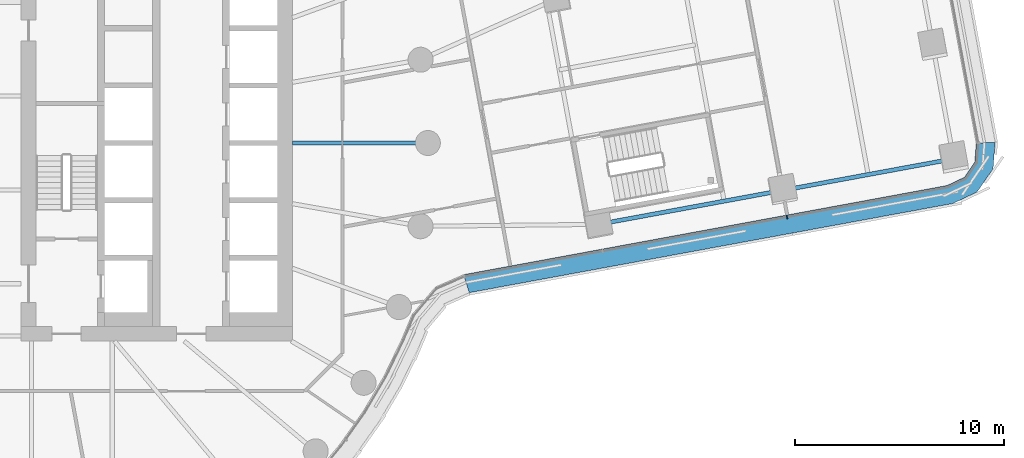
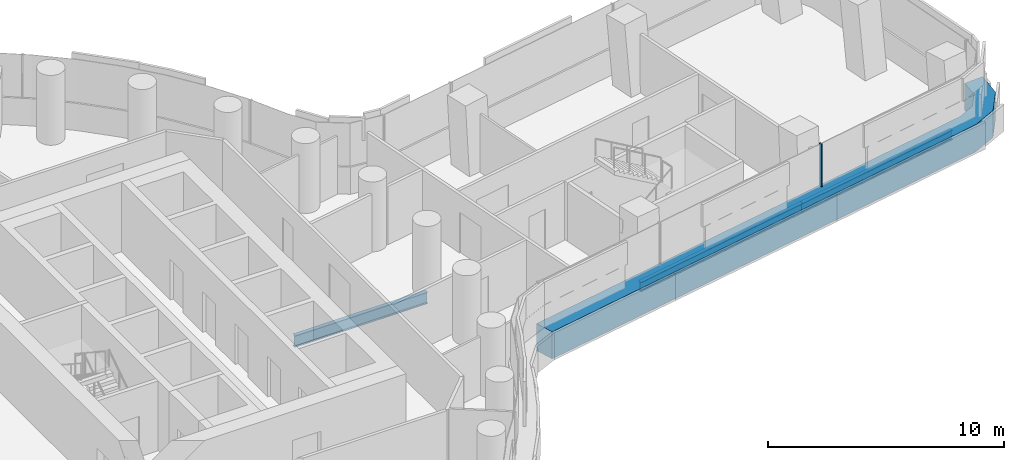
# One storey, part 12 of 33: 3 beams, 2 members, 1 element without a shape of its own.
"""IFC4 building model written with IfcOpenShell, lengths in metres."""

from ifc_helpers import new_model, si_unit, direction, frame, origin, origin_2d, place, context, subcontext, project, spatial, polyline, rectangle, i_section, outline, extrude, material, layer, layer_set, material_profile, profile_set, type_object, element, aggregate, save


model = new_model("IFC4")

# Units and contexts
model_context = context("Model", 3, precision=1e-05, world=origin(), true_north=direction((0.0, 1.0)))
body_context = subcontext(model_context, "Body", "Model", "MODEL_VIEW")
ifc_project = project(units=[si_unit("LENGTHUNIT", "METRE"), si_unit("AREAUNIT", "SQUARE_METRE"), si_unit("VOLUMEUNIT", "CUBIC_METRE"), si_unit("PLANEANGLEUNIT", "RADIAN"), si_unit("MASSUNIT", "GRAM", prefix="KILO")], contexts=[model_context])

# Site, building, storey
site_placement = place(None, origin())
site = spatial("IfcSite", under=ifc_project, at=site_placement, CompositionType="ELEMENT")
building_placement = place(site_placement, origin())
building = spatial("IfcBuilding", under=site, at=building_placement, Name="Tamarind Cross Interchange Tower", CompositionType="ELEMENT")
storey_placement = place(building_placement, frame((0.0, 0.0, 71.5)))
storey = spatial("IfcBuildingStorey", under=building, at=storey_placement, Name="L16", CompositionType="ELEMENT", Elevation=71.5)

# Beams
ifc_material_1 = material(Name="Steel Q355B", Category="steel")
ifc_material_profile_1 = material_profile(ifc_material_1, i_section(OverallWidth=0.198974609375, OverallDepth=0.49609375, WebThickness=0.009033203125, FlangeThickness=0.013916015625, FilletRadius=0.012939453125, at=origin_2d()), Name="HN 496x199x9x14")
ifc_profile_set_1 = profile_set([ifc_material_profile_1], Name="Steel Q355B")
beam_type_1 = type_object("IfcBeamType", Name="Composite beam HN 496x199x9x14 Q355B", PredefinedType="BEAM", material=ifc_profile_set_1)
beam_1_placement = place(storey_placement, frame((48.21435546875, -0.7587890625, -0.387939453125), z_axis=(-0.983422026354, -0.181331514308, 0.0), x_axis=(0.181331514308, -0.983422026354, 0.0)))
element("IfcBeam", 1, at=beam_1_placement, inside=storey, type_object=beam_type_1, Name="Beam E-edgeem5", PredefinedType="BEAM", context=body_context, shape_type="SweptSolid", body=[
    extrude(i_section(OverallWidth=0.198974609375, OverallDepth=0.49609375, WebThickness=0.009033203125, FlangeThickness=0.013916015625, FilletRadius=0.012939453125, at=origin_2d()), origin(), (0.0, 0.0, 1.0), 8.342041015625),
])
beam_2_placement = place(storey_placement, frame((40.010498046875, -2.271484375, -0.387939453125), z_axis=(-0.983420231604, -0.181341247573, 0.0), x_axis=(0.181341247573, -0.983420231604, 0.0)))
element("IfcBeam", 2, at=beam_2_placement, inside=storey, type_object=beam_type_1, Name="Beam E-edgeem6", PredefinedType="BEAM", context=body_context, shape_type="SweptSolid", body=[
    extrude(i_section(OverallWidth=0.198974609375, OverallDepth=0.49609375, WebThickness=0.009033203125, FlangeThickness=0.013916015625, FilletRadius=0.012939453125, at=origin_2d()), origin(), (0.0, 0.0, 1.0), 9.0),
])
ifc_material_profile_2 = material_profile(ifc_material_1, i_section(OverallWidth=0.198974609375, OverallDepth=0.595947265625, WebThickness=0.010009765625, FlangeThickness=0.014892578125, FilletRadius=0.012939453125, at=origin_2d()), Name="HN 596x199x10x15")
ifc_profile_set_2 = profile_set([ifc_material_profile_2], Name="Steel Q355B")
beam_type_2 = type_object("IfcBeamType", Name="Composite beam HN 596x199x10x15 Q355B", PredefinedType="BEAM", material=ifc_profile_set_2)
beam_3_placement = place(storey_placement, frame((23.0, 0.0, -0.43798828125), z_axis=(-1.0, 0.0, 0.0), x_axis=(0.0, -1.0, 0.0)))
element("IfcBeam", 3, at=beam_3_placement, inside=storey, type_object=beam_type_2, Name="Beam HH00", PredefinedType="BEAM", context=body_context, shape_type="SweptSolid", body=[
    extrude(i_section(OverallWidth=0.198974609375, OverallDepth=0.595947265625, WebThickness=0.010009765625, FlangeThickness=0.014892578125, FilletRadius=0.012939453125, at=origin_2d()), origin(), (0.0, 0.0, 1.0), 6.5),
])

# Curtain wall, members
ifc_material_2 = material(Name="Aluminium 6063-T6", Category="aluminium")
ifc_layer = layer(ifc_material_2, 0.159912109375)
ifc_layer_set = layer_set([ifc_layer], Name="Aluminium 6063-T6")
curtain_wall_type = type_object("IfcCurtainWallType", Name="Office curtain wall, 9.0 m bays", PredefinedType="NOTDEFINED", material=ifc_layer_set)
curtain_wall_placement = place(storey_placement, origin())
curtain_wall = element("IfcCurtainWall", 4, at=curtain_wall_placement, inside=storey, type_object=curtain_wall_type, Name="CWS-L16-07", PredefinedType="NOTDEFINED")
ifc_material_3 = material(Name="Aluminium and insulated spandrel panel", Category="aluminium")
member_type_1 = type_object("IfcMemberType", Name="Floor-edge blade transom", PredefinedType="USERDEFINED", material=ifc_material_3)
member_1_placement = place(storey_placement, origin())
member_1 = element("IfcMember", 5, at=member_1_placement, type_object=member_type_1, Name="CWT-L16-07", ObjectType="TRANSOM", PredefinedType="USERDEFINED", context=body_context, shape_type="SweptSolid", body=[
    extrude(outline(polyline([(24.71728515625, -6.311767578125), (47.9013671875, -2.03662109375), (48.72802734375, -1.643310546875), (49.223876953125, -0.923095703125), (49.296630859375, -0.0107421875), (50.203125, 0.0361328125), (50.10205078125, -1.23486328125), (49.33251953125, -2.3525390625), (48.18115234375, -2.900390625), (24.983154296875, -7.177978515625), (24.71728515625, -6.311767578125)])), origin(), (0.0, 0.0, 1.0), 1.39990234375),
])
ifc_material_profile_3 = material_profile(ifc_material_2, rectangle(XDim=0.06005859375, YDim=0.159912109375, at=origin_2d()), Name="Mullion CW1")
ifc_profile_set_3 = profile_set([ifc_material_profile_3], Name="Aluminium 6063-T6")
member_type_2 = type_object("IfcMemberType", Name="Mullion CW1", PredefinedType="MULLION", material=ifc_profile_set_3)
member_2_placement = place(storey_placement, frame((40.221435546875, -3.5546875, 1.39990234375), z_axis=(0.0, 0.0, 1.0), x_axis=(0.983419894311, 0.181343076715, 0.0)))
member_2 = element("IfcMember", 6, at=member_2_placement, type_object=member_type_2, Name="CWM-L16-07-02", PredefinedType="MULLION", context=body_context, shape_type="SweptSolid", body=[
    extrude(rectangle(XDim=0.06005859375, YDim=0.159912109375, at=origin_2d()), origin(), (0.0, 0.0, 1.0), 2.210205078125),
])
aggregate(curtain_wall, [member_2, member_1])

save(model, "model.ifc")
